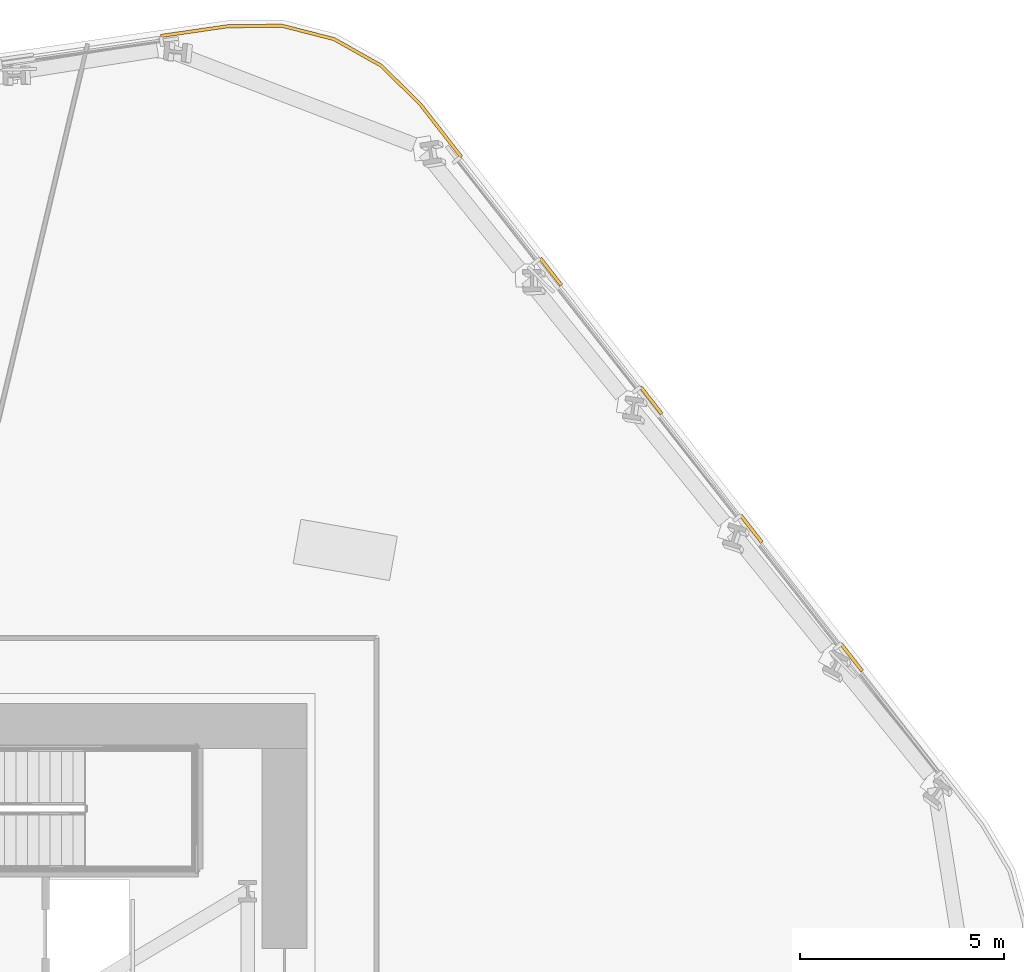
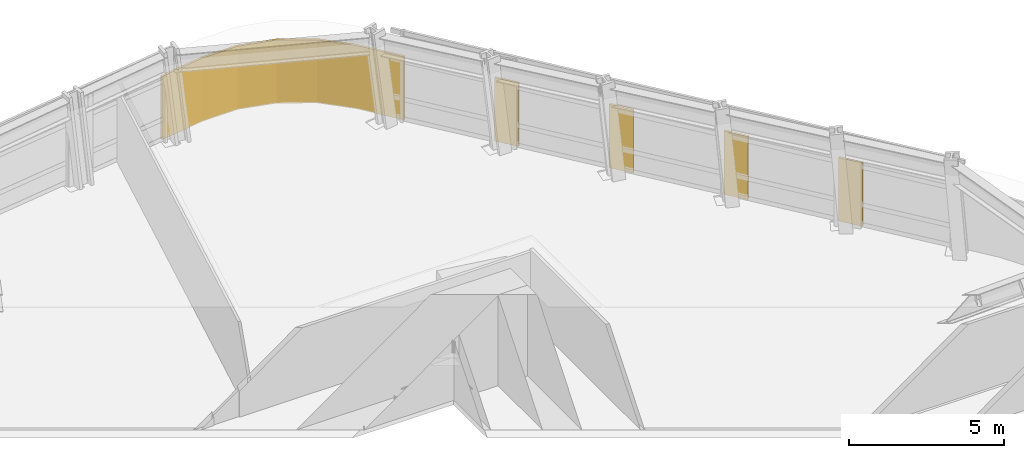
# One storey, part 15 of 16: 5 coverings.
"""IFC4 building model written with IfcOpenShell, lengths in metres."""

from ifc_helpers import new_model, si_unit, direction, frame, origin, place, context, subcontext, project, spatial, polyline, outline, extrude, material, layer, layer_set, type_object, element, save


model = new_model("IFC4")

# Units and contexts
model_context = context("Model", 3, precision=1e-05, world=origin(), true_north=direction((0.0, 1.0)))
body_context = subcontext(model_context, "Body", "Model", "MODEL_VIEW")
ifc_project = project(units=[si_unit("LENGTHUNIT", "METRE"), si_unit("AREAUNIT", "SQUARE_METRE"), si_unit("VOLUMEUNIT", "CUBIC_METRE"), si_unit("PLANEANGLEUNIT", "RADIAN"), si_unit("MASSUNIT", "GRAM", prefix="KILO")], contexts=[model_context])

# Site, building, storey
site_placement = place(None, origin())
site = spatial("IfcSite", under=ifc_project, at=site_placement, CompositionType="ELEMENT")
building_placement = place(site_placement, origin())
building = spatial("IfcBuilding", under=site, at=building_placement, Name="Valkerne Bourse Tower", CompositionType="ELEMENT")
storey_placement = place(building_placement, frame((0.0, 0.0, 58.199951171875)))
storey = spatial("IfcBuildingStorey", under=building, at=storey_placement, Name="L14", CompositionType="ELEMENT", Elevation=58.199951171875)

# Coverings
ifc_material = material(Name="Bronze Anodised Aluminium AA 6063-T6", Category="aluminium")
ifc_layer = layer(ifc_material, 0.06005859375)
ifc_layer_set = layer_set([ifc_layer], Name="Bronze Anodised Aluminium AA 6063-T6")
covering_type = type_object("IfcCoveringType", Name="COV-CRN-ALUM", PredefinedType="CLADDING", material=ifc_layer_set)
covering_1_placement = place(storey_placement, origin())
element("IfcCovering", 1, at=covering_1_placement, inside=storey, type_object=covering_type, Name="L14 Wind-Shaped Corner Aluminium Cladding 21", PredefinedType="CLADDING", context=body_context, shape_type="SweptSolid", body=[
    extrude(outline(polyline([(54.454345703125, 52.892578125), (55.7919921875, 52.906494140625), (57.081298828125, 52.575439453125), (58.240966796875, 51.922119140625), (59.19677734375, 50.986083984375), (60.215087890625, 49.679931640625), (60.152099609375, 49.630615234375), (59.136962890625, 50.9326171875), (58.192626953125, 51.857421875), (57.05126953125, 52.50048828125), (55.7822265625, 52.826416015625), (54.460693359375, 52.8125), (52.826416015625, 52.57568359375), (52.815185546875, 52.65478515625), (54.454345703125, 52.892578125)])), origin(), (0.0, 0.0, 1.0), 2.5),
])
covering_2_placement = place(storey_placement, origin())
element("IfcCovering", 2, at=covering_2_placement, inside=storey, type_object=covering_type, Name="L14 Wind-Shaped Corner Aluminium Cladding 22", PredefinedType="CLADDING", context=body_context, shape_type="SweptSolid", body=[
    extrude(outline(polyline([(62.67236328125, 46.52880859375), (62.609375, 46.479248046875), (62.093017578125, 47.1416015625), (62.15576171875, 47.191162109375), (62.67236328125, 46.52880859375)])), origin(), (0.0, 0.0, 1.0), 2.5),
])
covering_3_placement = place(storey_placement, origin())
element("IfcCovering", 3, at=covering_3_placement, inside=storey, type_object=covering_type, Name="L14 Wind-Shaped Corner Aluminium Cladding 23", PredefinedType="CLADDING", context=body_context, shape_type="SweptSolid", body=[
    extrude(outline(polyline([(65.12939453125, 43.37744140625), (65.06640625, 43.328125), (64.550048828125, 43.990478515625), (64.613037109375, 44.039794921875), (65.12939453125, 43.37744140625)])), origin(), (0.0, 0.0, 1.0), 2.5),
])
covering_4_placement = place(storey_placement, origin())
element("IfcCovering", 4, at=covering_4_placement, inside=storey, type_object=covering_type, Name="L14 Wind-Shaped Corner Aluminium Cladding 24", PredefinedType="CLADDING", context=body_context, shape_type="SweptSolid", body=[
    extrude(outline(polyline([(67.586669921875, 40.226318359375), (67.523681640625, 40.1767578125), (67.007080078125, 40.839111328125), (67.0703125, 40.888671875), (67.586669921875, 40.226318359375)])), origin(), (0.0, 0.0, 1.0), 2.5),
])
covering_5_placement = place(storey_placement, origin())
element("IfcCovering", 5, at=covering_5_placement, inside=storey, type_object=covering_type, Name="L14 Wind-Shaped Corner Aluminium Cladding 25", PredefinedType="CLADDING", context=body_context, shape_type="SweptSolid", body=[
    extrude(outline(polyline([(70.0439453125, 37.074951171875), (69.98095703125, 37.025634765625), (69.46435546875, 37.68798828125), (69.52734375, 37.7373046875), (70.0439453125, 37.074951171875)])), origin(), (0.0, 0.0, 1.0), 2.5),
])

save(model, "model.ifc")
